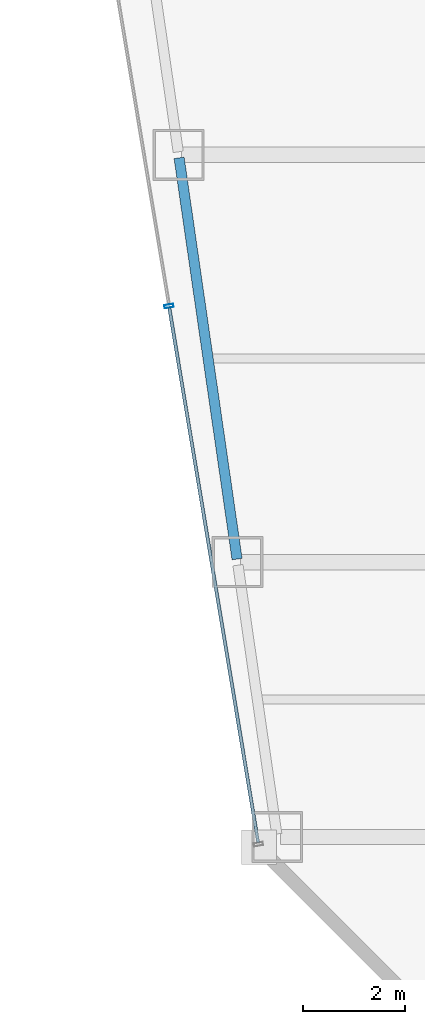
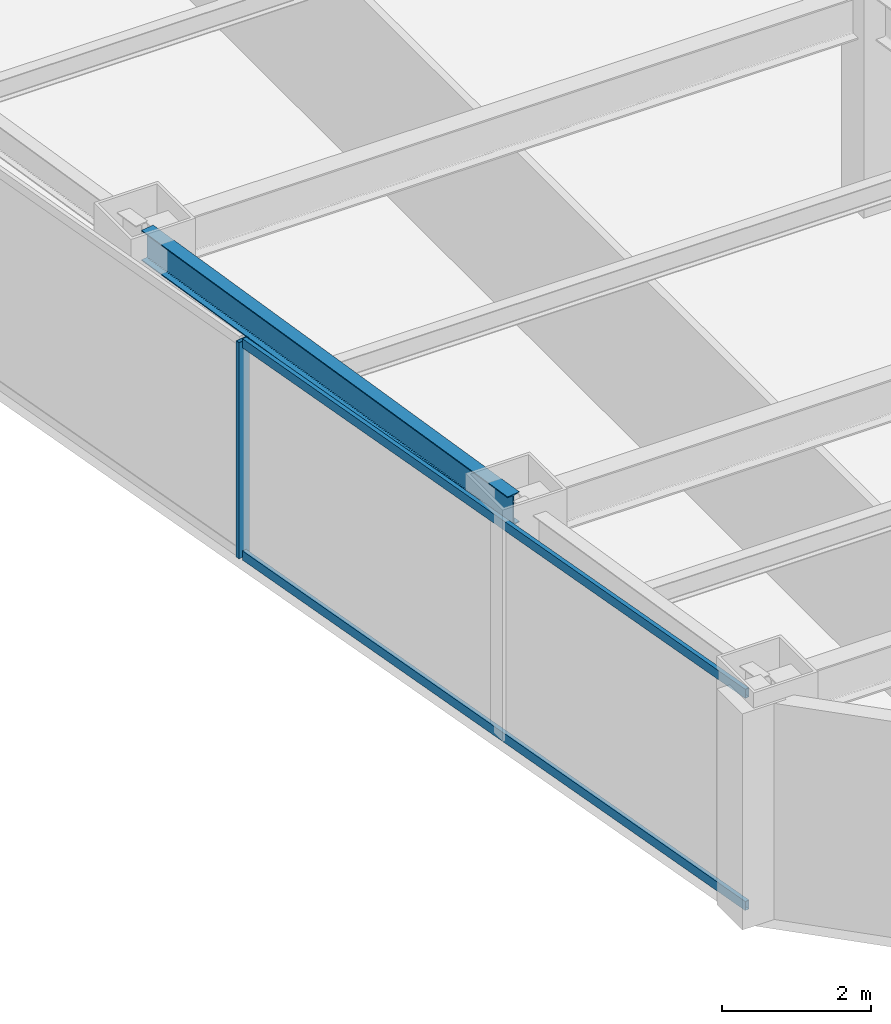
# One storey, part 3 of 37: 3 members, 1 beam, 1 element without a shape of its own.
"""IFC4 building model written with IfcOpenShell, lengths in metres."""

from ifc_helpers import new_model, si_unit, direction, frame, origin, origin_2d, place, context, subcontext, project, spatial, hollow_rectangle, i_section, extrude, material, material_profile, profile_set, type_object, element, aggregate, save


model = new_model("IFC4")

# Units and contexts
model_context = context("Model", 3, precision=1e-05, world=origin(), true_north=direction((0.0, 1.0)))
body_context = subcontext(model_context, "Body", "Model", "MODEL_VIEW")
ifc_project = project(units=[si_unit("LENGTHUNIT", "METRE"), si_unit("AREAUNIT", "SQUARE_METRE"), si_unit("VOLUMEUNIT", "CUBIC_METRE"), si_unit("PLANEANGLEUNIT", "RADIAN"), si_unit("MASSUNIT", "GRAM", prefix="KILO")], contexts=[model_context])

# Site, building, storey
site_placement = place(None, origin())
site = spatial("IfcSite", under=ifc_project, at=site_placement, CompositionType="ELEMENT")
building_placement = place(site_placement, origin())
building = spatial("IfcBuilding", under=site, at=building_placement, Name="Saevonmaru Cultural Tower", CompositionType="ELEMENT")
storey_placement = place(building_placement, frame((0.0, 0.0, 144.800048828125)))
storey = spatial("IfcBuildingStorey", under=building, at=storey_placement, Name="L31", CompositionType="ELEMENT", Elevation=144.800048828125)

# Beam
ifc_material_1 = material(Name="Steel SM355", Category="steel")
ifc_material_profile_1 = material_profile(ifc_material_1, i_section(OverallWidth=0.199951171875, OverallDepth=0.5, WebThickness=0.010009765625, FlangeThickness=0.01611328125, FilletRadius=0.02001953125, at=origin_2d()), Name="H-500x200x10x16")
ifc_profile_set_1 = profile_set([ifc_material_profile_1], Name="Steel SM355")
beam_type = type_object("IfcBeamType", Name="BM-SP-H500", PredefinedType="SPANDREL", material=ifc_profile_set_1)
beam_placement = place(storey_placement, frame((10.619384765625, 16.059326171875, 3.300048828125), z_axis=(-0.142992129437, 0.989723825579, 0.0), x_axis=(-0.989723825579, -0.142992129437, 0.0)))
element("IfcBeam", 1, at=beam_placement, inside=storey, type_object=beam_type, Name="L31 West Splayed Spandrel 2", PredefinedType="SPANDREL", context=body_context, shape_type="SweptSolid", body=[
    extrude(i_section(OverallWidth=0.199951171875, OverallDepth=0.5, WebThickness=0.010009765625, FlangeThickness=0.01611328125, FilletRadius=0.02001953125, at=origin_2d()), origin(), (0.0, 0.0, 1.0), 7.963134765625),
])

# Curtain wall, members
ifc_material_2 = material(Name="Satin Bronze Anodised Aluminium", Category="aluminium")
curtain_wall_type = type_object("IfcCurtainWallType", Name="CW-TYP-A", PredefinedType="NOTDEFINED", material=ifc_material_2)
curtain_wall_placement = place(storey_placement, origin())
curtain_wall = element("IfcCurtainWall", 2, at=curtain_wall_placement, inside=storey, type_object=curtain_wall_type, Name="L31 Unitised Curtain Wall E12", PredefinedType="NOTDEFINED")
ifc_material_profile_2 = material_profile(ifc_material_2, hollow_rectangle(XDim=0.06494140625, YDim=0.179931640625, WallThickness=0.00390625, at=origin_2d()), Name="ALU-MULL-180x65x4")
ifc_profile_set_2 = profile_set([ifc_material_profile_2], Name="Satin Bronze Anodised Aluminium")
member_type_1 = type_object("IfcMemberType", Name="ML-CW-180x65", PredefinedType="MULLION", material=ifc_profile_set_2)
member_1_placement = place(storey_placement, frame((9.28173828125, 21.029541015625, 0.0), z_axis=(0.0, 0.0, 1.0), x_axis=(0.163998702345, -0.986460554523, 0.0)))
member_1 = element("IfcMember", 3, at=member_1_placement, type_object=member_type_1, Name="CW-TW-L31-E12 mullion 4", PredefinedType="MULLION", context=body_context, shape_type="SweptSolid", body=[
    extrude(hollow_rectangle(XDim=0.06494140625, YDim=0.179931640625, WallThickness=0.00390625, at=origin_2d()), origin(), (0.0, 0.0, 1.0), 3.550048828125),
])
ifc_material_profile_3 = material_profile(ifc_material_2, hollow_rectangle(XDim=0.06494140625, YDim=0.14990234375, WallThickness=0.00390625, at=origin_2d()), Name="ALU-TRAN-150x65x4")
ifc_profile_set_3 = profile_set([ifc_material_profile_3], Name="Satin Bronze Anodised Aluminium")
member_type_2 = type_object("IfcMemberType", Name="TR-CW-150x65", PredefinedType="USERDEFINED", material=ifc_profile_set_3)
member_2_placement = place(storey_placement, frame((9.287109375, 20.99755859375, 0.032470703125), z_axis=(0.163990079074, -0.9864619881, 0.0), x_axis=(0.9864619881, 0.163990079074, 0.0)))
member_2 = element("IfcMember", 4, at=member_2_placement, type_object=member_type_2, Name="CW-TW-L31-E12 transom 4.1", ObjectType="TRANSOM", PredefinedType="USERDEFINED", context=body_context, shape_type="SweptSolid", body=[
    extrude(hollow_rectangle(XDim=0.06494140625, YDim=0.14990234375, WallThickness=0.00390625, at=origin_2d()), origin(), (0.0, 0.0, 1.0), 10.650634765625),
])
member_3_placement = place(storey_placement, frame((9.287109375, 20.99755859375, 3.517333984375), z_axis=(0.163990079074, -0.9864619881, 0.0), x_axis=(0.9864619881, 0.163990079074, 0.0)))
member_3 = element("IfcMember", 5, at=member_3_placement, type_object=member_type_2, Name="CW-TW-L31-E12 transom 4.2", ObjectType="TRANSOM", PredefinedType="USERDEFINED", context=body_context, shape_type="SweptSolid", body=[
    extrude(hollow_rectangle(XDim=0.06494140625, YDim=0.14990234375, WallThickness=0.00390625, at=origin_2d()), origin(), (0.0, 0.0, 1.0), 10.650634765625),
])
aggregate(curtain_wall, [member_1, member_2, member_3])

save(model, "model.ifc")
